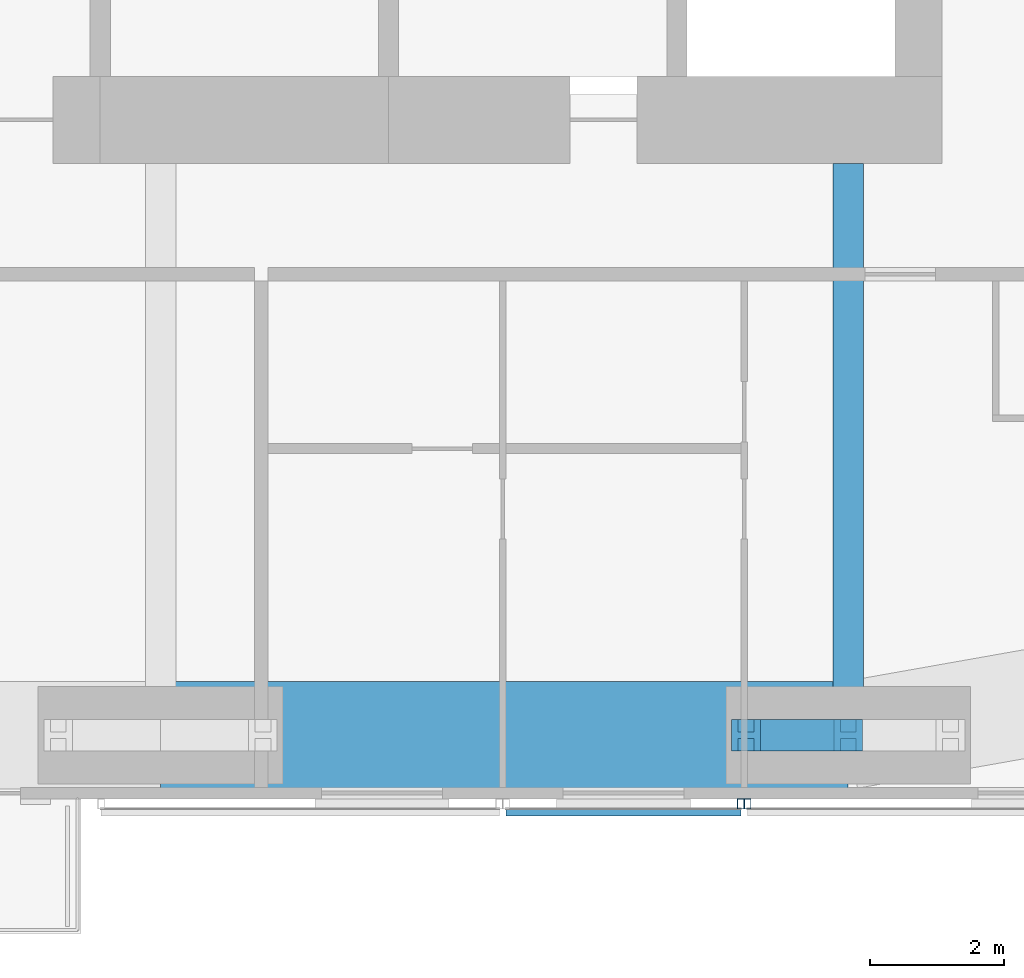
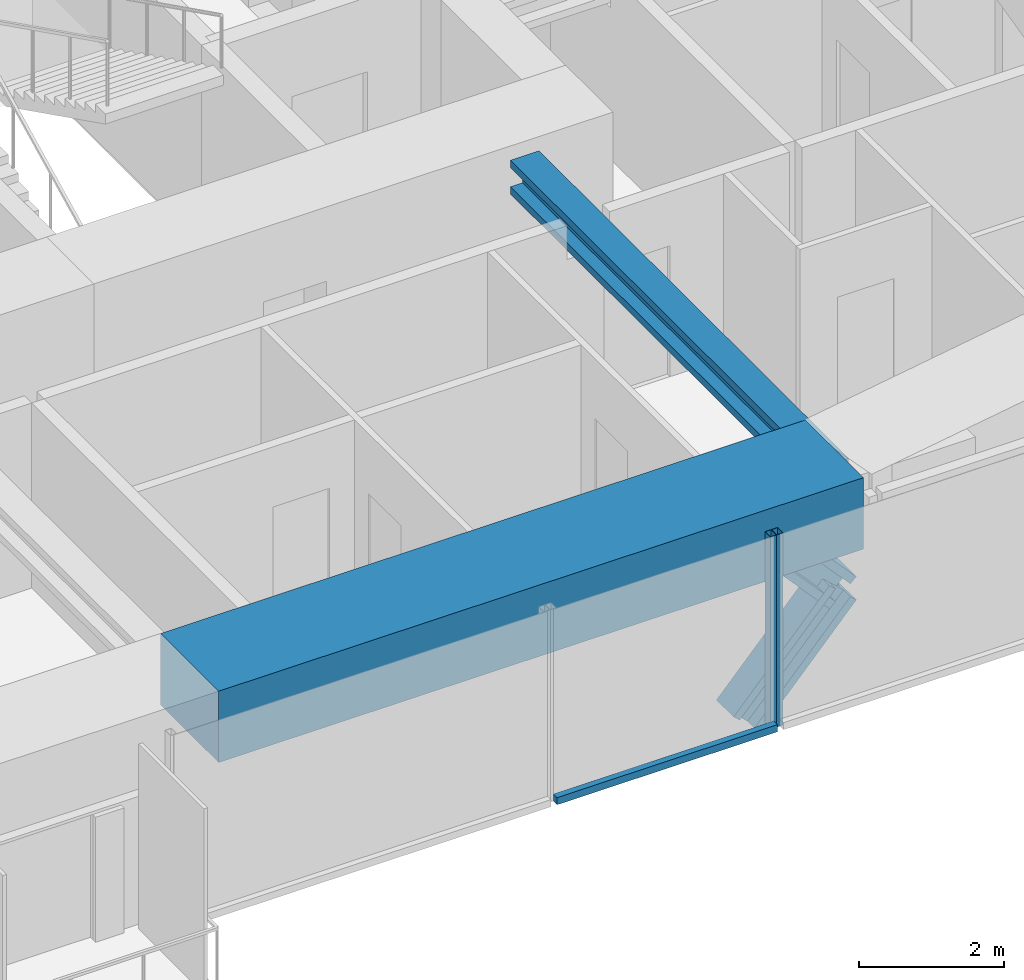
# One storey, part 5 of 23: 5 members, 2 beams, 2 elements without a shape of their own.
"""IFC4 building model written with IfcOpenShell, lengths in metres."""

from ifc_helpers import new_model, si_unit, direction, frame, origin, origin_2d, place, context, subcontext, project, spatial, rectangle, hollow_rectangle, i_section, extrude, material, material_profile, profile_set, type_object, element, aggregate, save


model = new_model("IFC4")

# Units and contexts
model_context = context("Model", 3, precision=1e-05, world=origin(), true_north=direction((0.0, 1.0)))
body_context = subcontext(model_context, "Body", "Model", "MODEL_VIEW")
ifc_project = project(units=[si_unit("LENGTHUNIT", "METRE"), si_unit("AREAUNIT", "SQUARE_METRE"), si_unit("VOLUMEUNIT", "CUBIC_METRE"), si_unit("PLANEANGLEUNIT", "RADIAN"), si_unit("MASSUNIT", "GRAM", prefix="KILO")], contexts=[model_context])

# Site, building, storey
site_placement = place(None, origin())
site = spatial("IfcSite", under=ifc_project, at=site_placement, CompositionType="ELEMENT")
building_placement = place(site_placement, origin())
building = spatial("IfcBuilding", under=site, at=building_placement, Name="Jalousie Tower", CompositionType="ELEMENT")
storey_placement = place(building_placement, frame((0.0, 0.0, 187.85009765625)))
storey = spatial("IfcBuildingStorey", under=building, at=storey_placement, Name="L51", CompositionType="ELEMENT", Elevation=187.85009765625)

# Beam
ifc_material_1 = material(Name="Steel ASTM A992 Grade 50", Category="steel")
ifc_material_profile_1 = material_profile(ifc_material_1, i_section(OverallWidth=0.45458984375, OverallDepth=0.569091796875, WebThickness=0.077880859375, FlangeThickness=0.124755859375, at=origin_2d()), Name="W14X730")
ifc_profile_set_1 = profile_set([ifc_material_profile_1], Name="Steel ASTM A992 Grade 50")
beam_type_1 = type_object("IfcBeamType", Name="LEAN COLLECTOR W14X730", PredefinedType="BEAM", material=ifc_profile_set_1)
beam_1_placement = place(storey_placement, frame((42.75, 0.949951171875, 2.825439453125), z_axis=(0.0, 1.0, 0.0), x_axis=(-1.0, 0.0, 0.0)))
element("IfcBeam", 1, at=beam_1_placement, inside=storey, type_object=beam_type_1, Name="Lean collector under L52", PredefinedType="BEAM", context=body_context, shape_type="SweptSolid", body=[
    extrude(i_section(OverallWidth=0.45458984375, OverallDepth=0.569091796875, WebThickness=0.077880859375, FlangeThickness=0.124755859375, at=origin_2d()), origin(), (0.0, 0.0, 1.0), 8.525146484375),
])

# Members
ifc_material_2 = material(Name="Steel ASTM A992 Grade 50", Category="steel")
ifc_material_profile_2 = material_profile(ifc_material_2, i_section(OverallWidth=0.472412109375, OverallDepth=0.5791015625, WebThickness=0.094970703125, FlangeThickness=0.1298828125, at=origin_2d()), Name="W14X808")
ifc_profile_set_2 = profile_set([ifc_material_profile_2], Name="Steel ASTM A992 Grade 50")
member_type_1 = type_object("IfcMemberType", Name="PERIMETER BRACE W14X808", PredefinedType="BRACE", material=ifc_profile_set_2)
for number, where, z_axis, x_axis, name in (
    (2, (41.22509765625, 0.949951171875, -0.60009765625), (0.673187629365, 0.0, 0.739471713908), (0.0, 1.0, 0.0), "Perimeter brace 04 L51 part 1"),
    (3, (42.75, 0.949951171875, 1.074951171875), (-0.673187629365, 0.0, 0.739471713908), (0.0, -1.0, 0.0), "Perimeter brace 04 L51 part 4"),
):
    element("IfcMember", number, at=place(storey_placement, frame(where, z_axis=z_axis, x_axis=x_axis)), inside=storey, type_object=member_type_1, Name=name, PredefinedType="BRACE", context=body_context, shape_type="SweptSolid", body=[
        extrude(i_section(OverallWidth=0.472412109375, OverallDepth=0.5791015625, WebThickness=0.094970703125, FlangeThickness=0.1298828125, at=origin_2d()), origin(), (0.0, 0.0, 1.0), 2.26513671875),
    ])

# Beam
ifc_material_3 = material(Name="Concrete f'c 40 MPa", Category="concrete")
ifc_material_profile_3 = material_profile(ifc_material_3, rectangle(XDim=1.60009765625, YDim=1.199951171875, at=origin_2d()), Name="RC 1600x1200")
ifc_profile_set_3 = profile_set([ifc_material_profile_3], Name="Concrete f'c 40 MPa")
beam_type_2 = type_object("IfcBeamType", Name="RC BEAM 1600x1200", PredefinedType="BEAM", material=ifc_profile_set_3)
beam_2_placement = place(storey_placement, frame((32.5, 0.949951171875, 2.75), z_axis=(1.0, 0.0, 0.0), x_axis=(0.0, 1.0, 0.0)))
element("IfcBeam", 4, at=beam_2_placement, inside=storey, type_object=beam_type_2, Name="Edge band beam 03-04 under L52", PredefinedType="BEAM", context=body_context, shape_type="SweptSolid", body=[
    extrude(rectangle(XDim=1.60009765625, YDim=1.199951171875, at=origin_2d()), origin(), (0.0, 0.0, 1.0), 10.25),
])

# Curtain wall, member
ifc_material_4 = material(Name="Perforated aluminium sheet", Category="aluminium")
curtain_wall_type = type_object("IfcCurtainWallType", Name="SOLAR SCREEN SS-1", PredefinedType="USERDEFINED", material=ifc_material_4)
curtain_wall_1_placement = place(storey_placement, origin())
curtain_wall_1 = element("IfcCurtainWall", 5, at=curtain_wall_1_placement, inside=storey, type_object=curtain_wall_type, Name="Solar screen L51", ObjectType="SOLAR SCREEN SS-1", PredefinedType="USERDEFINED")
ifc_material_5 = material(Name="Steel ASTM A500 Grade C", Category="steel")
ifc_material_profile_4 = material_profile(ifc_material_5, hollow_rectangle(XDim=0.1015625, YDim=0.15234375, WallThickness=0.00634765625, at=origin_2d()), Name="HSS6X4X1/4")
ifc_profile_set_4 = profile_set([ifc_material_profile_4], Name="Steel ASTM A500 Grade C")
member_type_2 = type_object("IfcMemberType", Name="SOLAR SCREEN SS-1 MULLION", PredefinedType="MULLION", material=ifc_profile_set_4)
member_1_placement = place(storey_placement, frame((41.14990234375, -0.0712890625, -0.1201171875), z_axis=(0.0, 0.0, 1.0), x_axis=(1.0, 0.0, 0.0)))
member_1 = element("IfcMember", 6, at=member_1_placement, type_object=member_type_2, Name="SS1 post 2", PredefinedType="MULLION", context=body_context, shape_type="SweptSolid", body=[
    extrude(hollow_rectangle(XDim=0.1015625, YDim=0.15234375, WallThickness=0.00634765625, at=origin_2d()), origin(), (0.0, 0.0, 1.0), 3.22998046875),
])

curtain_wall_2_placement = place(storey_placement, origin())
curtain_wall_2 = element("IfcCurtainWall", 7, at=curtain_wall_2_placement, inside=storey, type_object=curtain_wall_type, Name="Solar screen L51", ObjectType="SOLAR SCREEN SS-1", PredefinedType="USERDEFINED")
member_2_placement = place(storey_placement, frame((41.25, -0.0712890625, -0.1201171875), z_axis=(0.0, 0.0, 1.0), x_axis=(1.0, 0.0, 0.0)))
member_2 = element("IfcMember", 8, at=member_2_placement, type_object=member_type_2, Name="SS1 post 1", PredefinedType="MULLION", context=body_context, shape_type="SweptSolid", body=[
    extrude(hollow_rectangle(XDim=0.1015625, YDim=0.15234375, WallThickness=0.00634765625, at=origin_2d()), origin(), (0.0, 0.0, 1.0), 3.22998046875),
])
aggregate(curtain_wall_2, [member_2])

# Member
ifc_material_6 = material(Name="Extruded aluminium screen rail", Category="aluminium")
ifc_material_profile_5 = material_profile(ifc_material_6, rectangle(XDim=0.1015625, YDim=0.1201171875, at=origin_2d()), Name="RAIL 102x120")
ifc_profile_set_5 = profile_set([ifc_material_profile_5], Name="Extruded aluminium screen rail")
member_type_3 = type_object("IfcMemberType", Name="SOLAR SCREEN SS-1 TRANSOM", PredefinedType="USERDEFINED", material=ifc_profile_set_5)
member_3_placement = place(storey_placement, frame((37.64990234375, -0.1982421875, -0.06005859375), z_axis=(1.0, 0.0, 0.0), x_axis=(0.0, 1.0, 0.0)))
member_3 = element("IfcMember", 9, at=member_3_placement, type_object=member_type_3, Name="SS1 rail", ObjectType="TRANSOM", PredefinedType="USERDEFINED", context=body_context, shape_type="SweptSolid", body=[
    extrude(rectangle(XDim=0.1015625, YDim=0.1201171875, at=origin_2d()), origin(), (0.0, 0.0, 1.0), 3.5),
])

aggregate(curtain_wall_1, [member_1, member_3])

save(model, "model.ifc")
